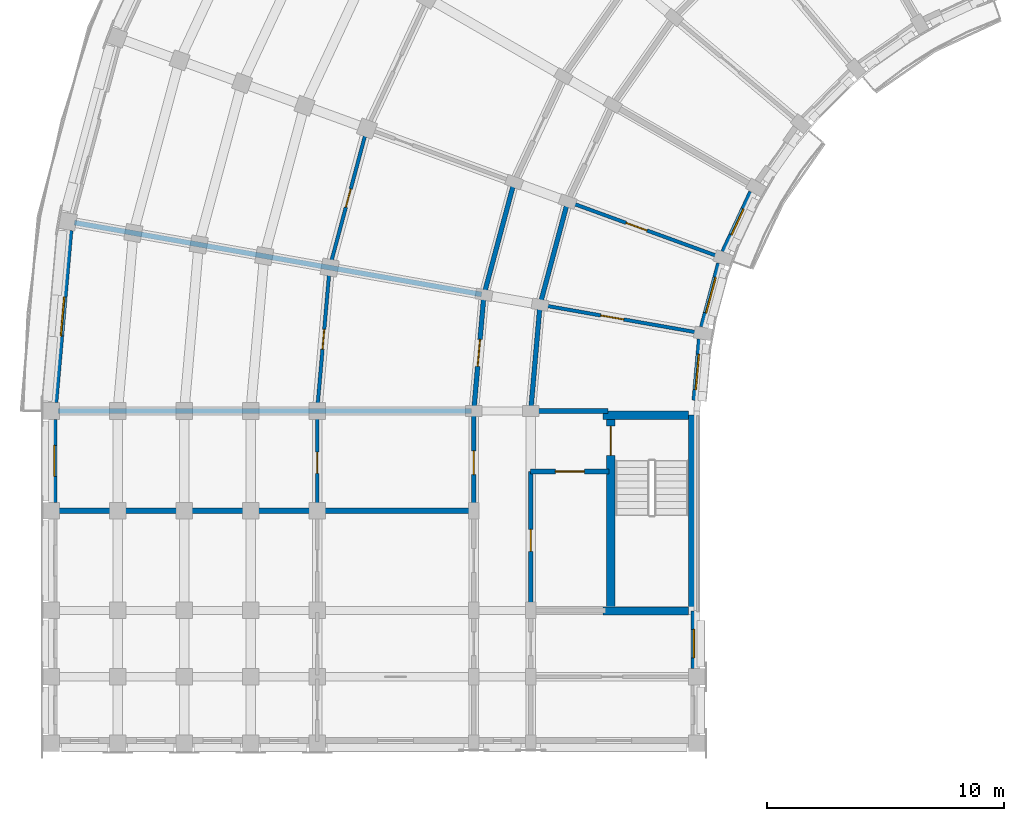
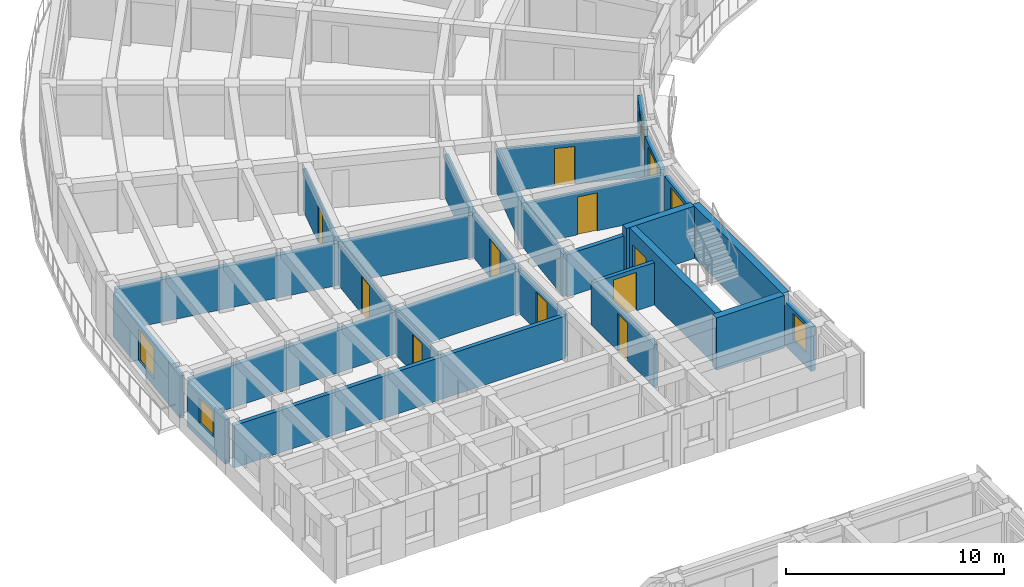
# One storey, part 24 of 57: 26 walls, 10 doors, 6 windows, 16 openings.
"""IFC4 building model written with IfcOpenShell, lengths in metres."""

from ifc_helpers import new_model, si_unit, direction, frame, frame_2d, origin, place, context, subcontext, project, spatial, rectangle, extrude, material, layer, layer_set, type_object, element, fill, save


model = new_model("IFC4")

# Units and contexts
model_context = context("Model", 3, precision=1e-05, world=origin(), true_north=direction((0.0, 1.0)))
body_context = subcontext(model_context, "Body", "Model", "MODEL_VIEW")
ifc_project = project(units=[si_unit("LENGTHUNIT", "METRE"), si_unit("AREAUNIT", "SQUARE_METRE"), si_unit("VOLUMEUNIT", "CUBIC_METRE"), si_unit("PLANEANGLEUNIT", "RADIAN"), si_unit("MASSUNIT", "GRAM", prefix="KILO")], contexts=[model_context])

# Site, building, storey
site_placement = place(None, origin())
site = spatial("IfcSite", under=ifc_project, at=site_placement, CompositionType="ELEMENT")
building_placement = place(site_placement, origin())
building = spatial("IfcBuilding", under=site, at=building_placement, Name="Kiranvali Square Residences", CompositionType="ELEMENT")
storey_placement = place(building_placement, frame((0.0, 0.0, 18.14990234375)))
storey = spatial("IfcBuildingStorey", under=building, at=storey_placement, Name="L05", CompositionType="ELEMENT", Elevation=18.14990234375)

# Wall, opening, door
ifc_material_1 = material(Name="Autoclaved aerated concrete blockwork masonry", Category="masonry")
ifc_layer_1 = layer(ifc_material_1, 0.199951171875)
ifc_layer_set_1 = layer_set([ifc_layer_1], Name="Autoclaved aerated concrete blockwork masonry")
wall_type_1 = type_object("IfcWallType", Name="WL-COR-200", PredefinedType="STANDARD", material=ifc_layer_set_1)
wall_1_placement = place(storey_placement, frame((25.699951171875, 85.25, 0.0), z_axis=(0.0, 0.0, 1.0), x_axis=(-1.0, 0.0, 0.0)))
wall_1 = element("IfcWall", 1, at=wall_1_placement, inside=storey, type_object=wall_type_1, Name="L05 architectural wall WL-L05-A-S3-V", PredefinedType="STANDARD", context=body_context, shape_type="SweptSolid", body=[
    extrude(rectangle(XDim=3.300048828125, YDim=0.199951171875, at=frame_2d((1.64990234375, 0.0))), origin(), (0.0, 0.0, 1.0), 2.3720703125),
])
opening_1_placement = place(wall_1_placement, frame((1.0400390625, 0.0, 0.0)))
opening_1 = element("IfcOpeningElement", 2, at=opening_1_placement, cuts=wall_1, Name="Opening FD-COR-60", PredefinedType="OPENING", context=body_context, shape_type="SweptSolid", body=[
    extrude(rectangle(XDim=1.219970703125, YDim=2.14990234375, at=frame_2d((0.60986328125, 1.074951171875))), frame((0.0, 0.10986328125, 0.0), z_axis=(0.0, -1.0, 0.0), x_axis=(1.0, 0.0, 0.0)), (0.0, 0.0, 1.0), 0.219970703125),
])
ifc_material_2 = material(Name="Fire-rated acoustic hardwood and mineral-core door assembly", Category="wood")
door_type_1 = type_object("IfcDoorType", Name="DR-FD60-1200", OperationType="NOTDEFINED", PredefinedType="DOOR", material=ifc_material_2)
door_1_placement = place(opening_1_placement, origin())
door_1 = element("IfcDoor", 3, at=door_1_placement, inside=storey, type_object=door_type_1, Name="L05 door DR-L05-0339 (DR-FD60-1200)", OperationType="SINGLE_SWING_LEFT", OverallHeight=2.14990234375, OverallWidth=1.219970703125, PredefinedType="DOOR", context=body_context, shape_type="SweptSolid", body=[
    extrude(rectangle(XDim=1.219970703125, YDim=2.14990234375, at=frame_2d((0.60986328125, 1.074951171875))), frame((0.0, 0.02490234375, 0.0), z_axis=(0.0, -1.0, 0.0), x_axis=(1.0, 0.0, 0.0)), (0.0, 0.0, 1.0), 0.050048828125),
])
fill(opening_1, door_1)

wall_2_placement = place(storey_placement, frame((22.39990234375, 85.25, 0.0), z_axis=(0.0, 0.0, 1.0), x_axis=(0.0, -1.0, 0.0)))
wall_2 = element("IfcWall", 4, at=wall_2_placement, inside=storey, type_object=wall_type_1, Name="L05 architectural wall WL-L05-A-S3-COR", PredefinedType="STANDARD", context=body_context, shape_type="SweptSolid", body=[
    extrude(rectangle(XDim=5.800048828125, YDim=0.199951171875, at=frame_2d((2.89990234375, 0.0))), origin(), (0.0, 0.0, 1.0), 2.3720703125),
])
opening_2_placement = place(wall_2_placement, frame((2.43994140625, 0.0, 0.0)))
opening_2 = element("IfcOpeningElement", 5, at=opening_2_placement, cuts=wall_2, Name="Opening FD-SVC-120", PredefinedType="OPENING", context=body_context, shape_type="SweptSolid", body=[
    extrude(rectangle(XDim=0.919921875, YDim=2.10009765625, at=frame_2d((0.4599609375, 1.050048828125))), frame((0.0, 0.10986328125, 0.0), z_axis=(0.0, -1.0, 0.0), x_axis=(1.0, 0.0, 0.0)), (0.0, 0.0, 1.0), 0.219970703125),
])
door_type_2 = type_object("IfcDoorType", Name="DR-SVC-900", OperationType="NOTDEFINED", PredefinedType="DOOR", material=ifc_material_2)
door_2_placement = place(opening_2_placement, frame((0.919921875, 0.0, 0.0), z_axis=(0.0, 0.0, 1.0), x_axis=(-1.0, 0.0, 0.0)))
door_2 = element("IfcDoor", 6, at=door_2_placement, inside=storey, type_object=door_type_2, Name="L05 door DR-L05-0340 (DR-SVC-900)", OperationType="SINGLE_SWING_RIGHT", OverallHeight=2.10009765625, OverallWidth=0.919921875, PredefinedType="DOOR", context=body_context, shape_type="SweptSolid", body=[
    extrude(rectangle(XDim=0.919921875, YDim=2.10009765625, at=frame_2d((0.4599609375, 1.050048828125))), frame((0.0, 0.02490234375, 0.0), z_axis=(0.0, -1.0, 0.0), x_axis=(1.0, 0.0, 0.0)), (0.0, 0.0, 1.0), 0.050048828125),
])
fill(opening_2, door_2)

# Walls
wall_3_placement = place(storey_placement, frame((23.955810546875, 96.6240234375, 0.0), z_axis=(0.0, 0.0, 1.0), x_axis=(-0.258787642463, -0.965934240054, 0.0)))
element("IfcWall", 7, at=wall_3_placement, inside=storey, type_object=wall_type_1, Name="L05 architectural wall WL-L05-A-CCI-7", PredefinedType="STANDARD", context=body_context, shape_type="SweptSolid", body=[
    extrude(rectangle(XDim=4.497314453125, YDim=0.199951171875, at=frame_2d((2.24853515625, 0.0))), origin(), (0.0, 0.0, 1.0), 2.3720703125),
])
wall_4_placement = place(storey_placement, frame((21.70068359375, 97.445068359375, 0.0), z_axis=(0.0, 0.0, 1.0), x_axis=(-0.258803112091, -0.965930095386, 0.0)))
element("IfcWall", 8, at=wall_4_placement, inside=storey, type_object=wall_type_1, Name="L05 architectural wall WL-L05-A-CCO-7", PredefinedType="STANDARD", context=body_context, shape_type="SweptSolid", body=[
    extrude(rectangle(XDim=4.915771484375, YDim=0.199951171875, at=frame_2d((2.4580078125, 0.0))), origin(), (0.0, 0.0, 1.0), 2.3720703125),
])
wall_5_placement = place(storey_placement, frame((22.7919921875, 92.280029296875, 0.0), z_axis=(0.0, 0.0, 1.0), x_axis=(-0.087187153726, -0.996191949488, 0.0)))
element("IfcWall", 9, at=wall_5_placement, inside=storey, type_object=wall_type_1, Name="L05 architectural wall WL-L05-A-CCI-8", PredefinedType="STANDARD", context=body_context, shape_type="SweptSolid", body=[
    extrude(rectangle(XDim=4.4970703125, YDim=0.199951171875, at=frame_2d((2.24853515625, 0.0))), origin(), (0.0, 0.0, 1.0), 2.3720703125),
])

# Wall, opening, door
wall_6_placement = place(storey_placement, frame((20.428466796875, 92.69677734375, 0.0), z_axis=(0.0, 0.0, 1.0), x_axis=(-0.087167566415, -0.996193663584, 0.0)))
wall_6 = element("IfcWall", 10, at=wall_6_placement, inside=storey, type_object=wall_type_1, Name="L05 architectural wall WL-L05-A-CCO-8", PredefinedType="STANDARD", context=body_context, shape_type="SweptSolid", body=[
    extrude(rectangle(XDim=4.91552734375, YDim=0.199951171875, at=frame_2d((2.457763671875, 0.0))), origin(), (0.0, 0.0, 1.0), 2.3720703125),
])
opening_3_placement = place(wall_6_placement, frame((1.8876953125, 0.0, 0.0)))
opening_3 = element("IfcOpeningElement", 11, at=opening_3_placement, cuts=wall_6, Name="Opening FD-APT-60D", PredefinedType="OPENING", context=body_context, shape_type="SweptSolid", body=[
    extrude(rectangle(XDim=1.139892578125, YDim=2.14990234375, at=frame_2d((0.56982421875, 1.074951171875))), frame((0.0, 0.10986328125, 0.0), z_axis=(0.0, -1.0, 0.0), x_axis=(1.0, 0.0, 0.0)), (0.0, 0.0, 1.0), 0.219970703125),
])
door_type_3 = type_object("IfcDoorType", Name="DR-APT-1140", OperationType="NOTDEFINED", PredefinedType="DOOR", material=ifc_material_2)
door_3_placement = place(opening_3_placement, frame((1.139892578125, 0.0, 0.0), z_axis=(0.0, 0.0, 1.0), x_axis=(-1.0, 0.0, 0.0)))
door_3 = element("IfcDoor", 12, at=door_3_placement, inside=storey, type_object=door_type_3, Name="L05 door DR-L05-0380 (DR-APT-1140)", OperationType="SINGLE_SWING_RIGHT", OverallHeight=2.14990234375, OverallWidth=1.139892578125, PredefinedType="DOOR", context=body_context, shape_type="SweptSolid", body=[
    extrude(rectangle(XDim=1.139892578125, YDim=2.14990234375, at=frame_2d((0.56982421875, 1.074951171875))), frame((0.0, 0.02490234375, 0.0), z_axis=(0.0, -1.0, 0.0), x_axis=(1.0, 0.0, 0.0)), (0.0, 0.0, 1.0), 0.050048828125),
])
fill(opening_3, door_3)

wall_7_placement = place(storey_placement, frame((20.0, 87.64990234375, 0.0), z_axis=(0.0, 0.0, 1.0), x_axis=(0.0, -1.0, 0.0)))
wall_7 = element("IfcWall", 13, at=wall_7_placement, inside=storey, type_object=wall_type_1, Name="L05 architectural wall WL-L05-A-A2CF-C0", PredefinedType="STANDARD", context=body_context, shape_type="SweptSolid", body=[
    extrude(rectangle(XDim=4.0498046875, YDim=0.199951171875, at=frame_2d((2.02490234375, 0.0))), origin(), (0.0, 0.0, 1.0), 2.3720703125),
])
opening_4_placement = place(wall_7_placement, frame((1.52490234375, 0.0, 0.0)))
opening_4 = element("IfcOpeningElement", 14, at=opening_4_placement, cuts=wall_7, Name="Opening FD-APT-60", PredefinedType="OPENING", context=body_context, shape_type="SweptSolid", body=[
    extrude(rectangle(XDim=1.0, YDim=2.14990234375, at=frame_2d((0.5, 1.074951171875))), frame((0.0, 0.10986328125, 0.0), z_axis=(0.0, -1.0, 0.0), x_axis=(1.0, 0.0, 0.0)), (0.0, 0.0, 1.0), 0.219970703125),
])
door_type_4 = type_object("IfcDoorType", Name="DR-APT-1000", OperationType="NOTDEFINED", PredefinedType="DOOR", material=ifc_material_2)
door_4_placement = place(opening_4_placement, origin())
door_4 = element("IfcDoor", 15, at=door_4_placement, inside=storey, type_object=door_type_4, Name="L05 door DR-L05-0385 (DR-APT-1000)", OperationType="SINGLE_SWING_LEFT", OverallHeight=2.14990234375, OverallWidth=1.0, PredefinedType="DOOR", context=body_context, shape_type="SweptSolid", body=[
    extrude(rectangle(XDim=1.0, YDim=2.14990234375, at=frame_2d((0.5, 1.074951171875))), frame((0.0, 0.02490234375, 0.0), z_axis=(0.0, -1.0, 0.0), x_axis=(1.0, 0.0, 0.0)), (0.0, 0.0, 1.0), 0.050048828125),
])
fill(opening_4, door_4)

# Walls
ifc_layer_2 = layer(ifc_material_1, 0.219970703125)
ifc_layer_set_2 = layer_set([ifc_layer_2], Name="Autoclaved aerated concrete blockwork masonry")
wall_type_2 = type_object("IfcWallType", Name="WL-DEM-220", PredefinedType="STANDARD", material=ifc_layer_set_2)
wall_8_placement = place(storey_placement, frame((20.329833984375, 92.71435546875, 0.0), z_axis=(0.0, 0.0, 1.0), x_axis=(-0.984808098809, 0.173646216546, 0.0)))
element("IfcWall", 16, at=wall_8_placement, inside=storey, type_object=wall_type_2, Name="L05 architectural wall WL-L05-A-RADO-8", PredefinedType="STANDARD", context=body_context, shape_type="SweptSolid", body=[
    extrude(rectangle(XDim=17.419921875, YDim=0.219970703125, at=frame_2d((8.7099609375, 0.0))), origin(), (0.0, 0.0, 1.0), 2.3720703125),
])
wall_9_placement = place(storey_placement, frame((25.64990234375, 87.800048828125, 0.0), z_axis=(0.0, 0.0, 1.0), x_axis=(-1.0, 0.0, 0.0)))
element("IfcWall", 17, at=wall_9_placement, inside=storey, type_object=wall_type_2, Name="L05 architectural wall WL-L05-A-RADI-9", PredefinedType="STANDARD", context=body_context, shape_type="SweptSolid", body=[
    extrude(rectangle(XDim=3.199951171875, YDim=0.219970703125, at=frame_2d((1.60009765625, 0.0))), origin(), (0.0, 0.0, 1.0), 2.3720703125),
])
wall_10_placement = place(storey_placement, frame((19.89990234375, 87.800048828125, 0.0), z_axis=(0.0, 0.0, 1.0), x_axis=(-1.0, 0.0, 0.0)))
element("IfcWall", 18, at=wall_10_placement, inside=storey, type_object=wall_type_2, Name="L05 architectural wall WL-L05-A-RADO-9", PredefinedType="STANDARD", context=body_context, shape_type="SweptSolid", body=[
    extrude(rectangle(XDim=17.419921875, YDim=0.219970703125, at=frame_2d((8.7099609375, 0.0))), origin(), (0.0, 0.0, 1.0), 2.3720703125),
])
wall_11_placement = place(storey_placement, frame((19.949951171875, 83.60009765625, 0.0), z_axis=(0.0, 0.0, 1.0), x_axis=(-1.0, 0.0, 0.0)))
element("IfcWall", 19, at=wall_11_placement, inside=storey, type_object=wall_type_2, Name="L05 architectural wall WL-L05-A-A2CF-MID", PredefinedType="STANDARD", context=body_context, shape_type="SweptSolid", body=[
    extrude(rectangle(XDim=17.530029296875, YDim=0.219970703125, at=frame_2d((8.76513671875, 0.0))), origin(), (0.0, 0.0, 1.0), 2.3720703125),
])

# Wall, opening, window
ifc_material_3 = material(Name="Breathable lime-rendered clay brick masonry", Category="masonry")
ifc_layer_3 = layer(ifc_material_3, 0.25)
ifc_layer_set_3 = layer_set([ifc_layer_3], Name="Breathable lime-rendered clay brick masonry")
wall_type_3 = type_object("IfcWallType", Name="WL-EXT-250", PredefinedType="STANDARD", material=ifc_layer_set_3)
wall_12_placement = place(storey_placement, frame((2.99072265625, 95.402587890625, 0.0), z_axis=(0.0, 0.0, 1.0), x_axis=(-0.08718487158, -0.99619214922, 0.0)))
wall_12 = element("IfcWall", 20, at=wall_12_placement, inside=storey, type_object=wall_type_3, Name="L05 exterior wall A-L05-CRV-08", PredefinedType="STANDARD", context=body_context, shape_type="SweptSolid", body=[
    extrude(rectangle(XDim=7.2666015625, YDim=0.25, at=frame_2d((3.63330078125, 0.0))), origin(), (0.0, 0.0, 1.0), 2.3720703125),
])
opening_5_placement = place(wall_12_placement, frame((2.808349609375, 0.0, 0.422119140625)))
opening_5 = element("IfcOpeningElement", 21, at=opening_5_placement, cuts=wall_12, Name="Opening W-13", PredefinedType="OPENING", context=body_context, shape_type="SweptSolid", body=[
    extrude(rectangle(XDim=1.64990234375, YDim=1.75, at=frame_2d((0.824951171875, 0.875))), frame((0.0, 0.135009765625, 0.0), z_axis=(0.0, -1.0, 0.0), x_axis=(1.0, 0.0, 0.0)), (0.0, 0.0, 1.0), 0.27001953125),
])
ifc_material_4 = material(Name="Solar-control low-e double glazing", Category="glass")
window_type_1 = type_object("IfcWindowType", Name="WIN-RES-1650x1750", PartitioningType="DOUBLE_PANEL_VERTICAL", PredefinedType="WINDOW", material=ifc_material_4)
window_1_placement = place(opening_5_placement, origin())
window_1 = element("IfcWindow", 22, at=window_1_placement, inside=storey, type_object=window_type_1, Name="L05 recessed window A-L05-CRV-08", OverallHeight=1.75, OverallWidth=1.64990234375, PartitioningType="DOUBLE_PANEL_VERTICAL", PredefinedType="WINDOW", context=body_context, shape_type="SweptSolid", body=[
    extrude(rectangle(XDim=1.64990234375, YDim=1.75, at=frame_2d((0.824951171875, 0.875))), frame((0.0, 0.030029296875, 0.0), z_axis=(0.0, -1.0, 0.0), x_axis=(1.0, 0.0, 0.0)), (0.0, 0.0, 1.0), 0.06005859375),
])
fill(opening_5, window_1)

wall_13_placement = place(storey_placement, frame((31.6982421875, 97.02294921875, 0.0), z_axis=(0.0, 0.0, 1.0), x_axis=(-0.422649007088, -0.906293449611, 0.0)))
wall_13 = element("IfcWall", 23, at=wall_13_placement, inside=storey, type_object=wall_type_3, Name="L05 exterior wall A-L05-GDN-06", PredefinedType="STANDARD", context=body_context, shape_type="SweptSolid", body=[
    extrude(rectangle(XDim=2.769775390625, YDim=0.25, at=frame_2d((1.384765625, 0.0))), origin(), (0.0, 0.0, 1.0), 2.422119140625),
])
opening_6_placement = place(wall_13_placement, frame((0.784912109375, 0.0, 0.721923828125)))
opening_6 = element("IfcOpeningElement", 24, at=opening_6_placement, cuts=wall_13, Name="Opening W-06", PredefinedType="OPENING", context=body_context, shape_type="SweptSolid", body=[
    extrude(rectangle(XDim=1.199951171875, YDim=1.5, at=frame_2d((0.60009765625, 0.75))), frame((0.0, 0.135009765625, 0.0), z_axis=(0.0, -1.0, 0.0), x_axis=(1.0, 0.0, 0.0)), (0.0, 0.0, 1.0), 0.27001953125),
])
window_type_2 = type_object("IfcWindowType", Name="WIN-RES-1200x1500", PartitioningType="SINGLE_PANEL", PredefinedType="WINDOW", material=ifc_material_4)
window_2_placement = place(opening_6_placement, origin())
window_2 = element("IfcWindow", 25, at=window_2_placement, inside=storey, type_object=window_type_2, Name="L05 recessed window A-L05-GDN-06", OverallHeight=1.5, OverallWidth=1.199951171875, PartitioningType="SINGLE_PANEL", PredefinedType="WINDOW", context=body_context, shape_type="SweptSolid", body=[
    extrude(rectangle(XDim=1.199951171875, YDim=1.5, at=frame_2d((0.60009765625, 0.75))), frame((0.0, 0.030029296875, 0.0), z_axis=(0.0, -1.0, 0.0), x_axis=(1.0, 0.0, 0.0)), (0.0, 0.0, 1.0), 0.06005859375),
])
fill(opening_6, window_2)

wall_14_placement = place(storey_placement, frame((30.347412109375, 94.017333984375, 0.0), z_axis=(0.0, 0.0, 1.0), x_axis=(-0.25878161084, -0.965935855992, 0.0)))
wall_14 = element("IfcWall", 26, at=wall_14_placement, inside=storey, type_object=wall_type_3, Name="L05 exterior wall A-L05-GDN-07", PredefinedType="STANDARD", context=body_context, shape_type="SweptSolid", body=[
    extrude(rectangle(XDim=2.769775390625, YDim=0.25, at=frame_2d((1.384765625, 0.0))), origin(), (0.0, 0.0, 1.0), 2.422119140625),
])
opening_7_placement = place(wall_14_placement, frame((0.60986328125, 0.0, 0.6220703125)))
opening_7 = element("IfcOpeningElement", 27, at=opening_7_placement, cuts=wall_14, Name="Opening W-18", PredefinedType="OPENING", context=body_context, shape_type="SweptSolid", body=[
    extrude(rectangle(XDim=1.550048828125, YDim=1.60009765625, at=frame_2d((0.77490234375, 0.800048828125))), frame((0.0, 0.135009765625, 0.0), z_axis=(0.0, -1.0, 0.0), x_axis=(1.0, 0.0, 0.0)), (0.0, 0.0, 1.0), 0.27001953125),
])
window_type_3 = type_object("IfcWindowType", Name="WIN-GDN-1550x1600", PartitioningType="DOUBLE_PANEL_VERTICAL", PredefinedType="WINDOW", material=ifc_material_4)
window_3_placement = place(opening_7_placement, origin())
window_3 = element("IfcWindow", 28, at=window_3_placement, inside=storey, type_object=window_type_3, Name="L05 recessed window A-L05-GDN-07", OverallHeight=1.60009765625, OverallWidth=1.550048828125, PartitioningType="DOUBLE_PANEL_VERTICAL", PredefinedType="WINDOW", context=body_context, shape_type="SweptSolid", body=[
    extrude(rectangle(XDim=1.550048828125, YDim=1.60009765625, at=frame_2d((0.77490234375, 0.800048828125))), frame((0.0, 0.030029296875, 0.0), z_axis=(0.0, -1.0, 0.0), x_axis=(1.0, 0.0, 0.0)), (0.0, 0.0, 1.0), 0.06005859375),
])
fill(opening_7, window_3)

wall_15_placement = place(storey_placement, frame((29.5390625, 90.82275390625, 0.0), z_axis=(0.0, 0.0, 1.0), x_axis=(-0.087229084652, -0.996188278786, 0.0)))
wall_15 = element("IfcWall", 29, at=wall_15_placement, inside=storey, type_object=wall_type_3, Name="L05 exterior wall A-L05-GDN-08", PredefinedType="STANDARD", context=body_context, shape_type="SweptSolid", body=[
    extrude(rectangle(XDim=2.583251953125, YDim=0.25, at=frame_2d((1.29150390625, 0.0))), origin(), (0.0, 0.0, 1.0), 2.422119140625),
])
opening_8_placement = place(wall_15_placement, frame((0.635009765625, 0.0, 0.572021484375)))
opening_8 = element("IfcOpeningElement", 30, at=opening_8_placement, cuts=wall_15, Name="Opening W-05", PredefinedType="OPENING", context=body_context, shape_type="SweptSolid", body=[
    extrude(rectangle(XDim=1.5, YDim=1.64990234375, at=frame_2d((0.75, 0.824951171875))), frame((0.0, 0.135009765625, 0.0), z_axis=(0.0, -1.0, 0.0), x_axis=(1.0, 0.0, 0.0)), (0.0, 0.0, 1.0), 0.27001953125),
])
window_type_4 = type_object("IfcWindowType", Name="WIN-RES-1500x1650", PartitioningType="DOUBLE_PANEL_VERTICAL", PredefinedType="WINDOW", material=ifc_material_4)
window_4_placement = place(opening_8_placement, origin())
window_4 = element("IfcWindow", 31, at=window_4_placement, inside=storey, type_object=window_type_4, Name="L05 recessed window A-L05-GDN-08", OverallHeight=1.64990234375, OverallWidth=1.5, PartitioningType="DOUBLE_PANEL_VERTICAL", PredefinedType="WINDOW", context=body_context, shape_type="SweptSolid", body=[
    extrude(rectangle(XDim=1.5, YDim=1.64990234375, at=frame_2d((0.75, 0.824951171875))), frame((0.0, 0.030029296875, 0.0), z_axis=(0.0, -1.0, 0.0), x_axis=(1.0, 0.0, 0.0)), (0.0, 0.0, 1.0), 0.06005859375),
])
fill(opening_8, window_4)

wall_16_placement = place(storey_placement, frame((2.324951171875, 87.446533203125, 0.0), z_axis=(0.0, 0.0, 1.0), x_axis=(0.0, -1.0, 0.0)))
wall_16 = element("IfcWall", 32, at=wall_16_placement, inside=storey, type_object=wall_type_3, Name="L05 exterior wall A-L05-A2O-0", PredefinedType="STANDARD", context=body_context, shape_type="SweptSolid", body=[
    extrude(rectangle(XDim=3.492919921875, YDim=0.25, at=frame_2d((1.74658203125, 0.0))), origin(), (0.0, 0.0, 1.0), 2.47216796875),
])
opening_9_placement = place(wall_16_placement, frame((1.096435546875, 0.0, 0.8798828125)))
opening_9 = element("IfcOpeningElement", 33, at=opening_9_placement, cuts=wall_16, Name="Opening W-23", PredefinedType="OPENING", context=body_context, shape_type="SweptSolid", body=[
    extrude(rectangle(XDim=1.300048828125, YDim=1.39990234375, at=frame_2d((0.64990234375, 0.699951171875))), frame((0.0, 0.135009765625, 0.0), z_axis=(0.0, -1.0, 0.0), x_axis=(1.0, 0.0, 0.0)), (0.0, 0.0, 1.0), 0.27001953125),
])
window_type_5 = type_object("IfcWindowType", Name="WIN-COR-1300x1400", PartitioningType="DOUBLE_PANEL_HORIZONTAL", PredefinedType="WINDOW", material=ifc_material_4)
window_5_placement = place(opening_9_placement, origin())
window_5 = element("IfcWindow", 34, at=window_5_placement, inside=storey, type_object=window_type_5, Name="L05 recessed window A-L05-A2O-0", OverallHeight=1.39990234375, OverallWidth=1.300048828125, PartitioningType="DOUBLE_PANEL_HORIZONTAL", PredefinedType="WINDOW", context=body_context, shape_type="SweptSolid", body=[
    extrude(rectangle(XDim=1.300048828125, YDim=1.39990234375, at=frame_2d((0.64990234375, 0.699951171875))), frame((0.0, 0.030029296875, 0.0), z_axis=(0.0, -1.0, 0.0), x_axis=(1.0, 0.0, 0.0)), (0.0, 0.0, 1.0), 0.06005859375),
])
fill(opening_9, window_5)

wall_17_placement = place(storey_placement, frame((29.27490234375, 79.37158203125, 0.0), z_axis=(0.0, 0.0, 1.0), x_axis=(0.0, -1.0, 0.0)))
wall_17 = element("IfcWall", 35, at=wall_17_placement, inside=storey, type_object=wall_type_3, Name="L05 exterior wall A-L05-A2I-0", PredefinedType="STANDARD", context=body_context, shape_type="SweptSolid", body=[
    extrude(rectangle(XDim=2.41796875, YDim=0.25, at=frame_2d((1.208984375, 0.0))), origin(), (0.0, 0.0, 1.0), 2.47216796875),
])
opening_10_placement = place(wall_17_placement, frame((0.771484375, 0.0, 0.77197265625)))
opening_10 = element("IfcOpeningElement", 36, at=opening_10_placement, cuts=wall_17, Name="Opening W-06", PredefinedType="OPENING", context=body_context, shape_type="SweptSolid", body=[
    extrude(rectangle(XDim=1.199951171875, YDim=1.5, at=frame_2d((0.60009765625, 0.75))), frame((0.0, 0.135009765625, 0.0), z_axis=(0.0, -1.0, 0.0), x_axis=(1.0, 0.0, 0.0)), (0.0, 0.0, 1.0), 0.27001953125),
])
window_6_placement = place(opening_10_placement, origin())
window_6 = element("IfcWindow", 37, at=window_6_placement, inside=storey, type_object=window_type_2, Name="L05 recessed window A-L05-A2I-0", OverallHeight=1.5, OverallWidth=1.199951171875, PartitioningType="SINGLE_PANEL", PredefinedType="WINDOW", context=body_context, shape_type="SweptSolid", body=[
    extrude(rectangle(XDim=1.199951171875, YDim=1.5, at=frame_2d((0.60009765625, 0.75))), frame((0.0, 0.030029296875, 0.0), z_axis=(0.0, -1.0, 0.0), x_axis=(1.0, 0.0, 0.0)), (0.0, 0.0, 1.0), 0.06005859375),
])
fill(opening_10, window_6)

# Wall, opening, door
ifc_material_5 = material(Name="Acoustic gypsum board drylined partition", Category="gypsum")
ifc_layer_4 = layer(ifc_material_5, 0.14990234375)
ifc_layer_set_4 = layer_set([ifc_layer_4], Name="Acoustic gypsum board drylined partition")
wall_type_4 = type_object("IfcWallType", Name="WL-PRT-150", PredefinedType="PARTITIONING", material=ifc_layer_set_4)
wall_18_placement = place(storey_placement, frame((30.345947265625, 94.29833984375, 0.0), z_axis=(0.0, 0.0, 1.0), x_axis=(-0.939696231917, 0.342010221662, 0.0)))
wall_18 = element("IfcWall", 38, at=wall_18_placement, inside=storey, type_object=wall_type_4, Name="L05 architectural wall WL-L05-A-RADI-7", PredefinedType="PARTITIONING", context=body_context, shape_type="SweptSolid", body=[
    extrude(rectangle(XDim=6.75, YDim=0.14990234375, at=frame_2d((3.375, 0.0))), origin(), (0.0, 0.0, 1.0), 2.3720703125),
])
opening_11_placement = place(wall_18_placement, frame((3.242431640625, 0.0, 0.0)))
opening_11 = element("IfcOpeningElement", 39, at=opening_11_placement, cuts=wall_18, Name="Opening ID-2", PredefinedType="OPENING", context=body_context, shape_type="SweptSolid", body=[
    extrude(rectangle(XDim=0.93994140625, YDim=2.10009765625, at=frame_2d((0.469970703125, 1.050048828125))), frame((0.0, 0.0849609375, 0.0), z_axis=(0.0, -1.0, 0.0), x_axis=(1.0, 0.0, 0.0)), (0.0, 0.0, 1.0), 0.169921875),
])
ifc_material_6 = material(Name="Solid seasoned teak hardwood joinery", Category="wood")
door_type_5 = type_object("IfcDoorType", Name="DR-INT-940", OperationType="NOTDEFINED", PredefinedType="DOOR", material=ifc_material_6)
door_5_placement = place(opening_11_placement, origin())
door_5 = element("IfcDoor", 40, at=door_5_placement, inside=storey, type_object=door_type_5, Name="L05 door DR-L05-0365 (DR-INT-940)", OperationType="SINGLE_SWING_LEFT", OverallHeight=2.10009765625, OverallWidth=0.93994140625, PredefinedType="DOOR", context=body_context, shape_type="SweptSolid", body=[
    extrude(rectangle(XDim=0.93994140625, YDim=2.10009765625, at=frame_2d((0.469970703125, 1.050048828125))), frame((0.0, 0.02490234375, 0.0), z_axis=(0.0, -1.0, 0.0), x_axis=(1.0, 0.0, 0.0)), (0.0, 0.0, 1.0), 0.050048828125),
])
fill(opening_11, door_5)

wall_19_placement = place(storey_placement, frame((29.48876953125, 91.099365234375, 0.0), z_axis=(0.0, 0.0, 1.0), x_axis=(-0.984807944945, 0.173647089161, 0.0)))
wall_19 = element("IfcWall", 41, at=wall_19_placement, inside=storey, type_object=wall_type_4, Name="L05 architectural wall WL-L05-A-RADI-8", PredefinedType="PARTITIONING", context=body_context, shape_type="SweptSolid", body=[
    extrude(rectangle(XDim=6.75, YDim=0.14990234375, at=frame_2d((3.375, 0.0))), origin(), (0.0, 0.0, 1.0), 2.3720703125),
])
opening_12_placement = place(wall_19_placement, frame((3.222412109375, 0.0, 0.0)))
opening_12 = element("IfcOpeningElement", 42, at=opening_12_placement, cuts=wall_19, Name="Opening ID-3", PredefinedType="OPENING", context=body_context, shape_type="SweptSolid", body=[
    extrude(rectangle(XDim=0.97998046875, YDim=2.1201171875, at=frame_2d((0.489990234375, 1.06005859375))), frame((0.0, 0.0849609375, 0.0), z_axis=(0.0, -1.0, 0.0), x_axis=(1.0, 0.0, 0.0)), (0.0, 0.0, 1.0), 0.169921875),
])
door_type_6 = type_object("IfcDoorType", Name="DR-INT-980", OperationType="NOTDEFINED", PredefinedType="DOOR", material=ifc_material_6)
door_6_placement = place(opening_12_placement, origin())
door_6 = element("IfcDoor", 43, at=door_6_placement, inside=storey, type_object=door_type_6, Name="L05 door DR-L05-0367 (DR-INT-980)", OperationType="SINGLE_SWING_LEFT", OverallHeight=2.1201171875, OverallWidth=0.97998046875, PredefinedType="DOOR", context=body_context, shape_type="SweptSolid", body=[
    extrude(rectangle(XDim=0.97998046875, YDim=2.1201171875, at=frame_2d((0.489990234375, 1.06005859375))), frame((0.0, 0.02490234375, 0.0), z_axis=(0.0, -1.0, 0.0), x_axis=(1.0, 0.0, 0.0)), (0.0, 0.0, 1.0), 0.050048828125),
])
fill(opening_12, door_6)

wall_20_placement = place(storey_placement, frame((13.39990234375, 87.570068359375, 0.0), z_axis=(0.0, 0.0, 1.0), x_axis=(0.0, -1.0, 0.0)))
wall_20 = element("IfcWall", 44, at=wall_20_placement, inside=storey, type_object=wall_type_4, Name="L05 architectural wall WL-L05-A-A2CF-SP0", PredefinedType="PARTITIONING", context=body_context, shape_type="SweptSolid", body=[
    extrude(rectangle(XDim=3.89013671875, YDim=0.14990234375, at=frame_2d((1.945068359375, 0.0))), origin(), (0.0, 0.0, 1.0), 2.3720703125),
])
opening_13_placement = place(wall_20_placement, frame((1.4951171875, 0.0, 0.0)))
opening_13 = element("IfcOpeningElement", 45, at=opening_13_placement, cuts=wall_20, Name="Opening ID-1", PredefinedType="OPENING", context=body_context, shape_type="SweptSolid", body=[
    extrude(rectangle(XDim=0.89990234375, YDim=2.10009765625, at=frame_2d((0.449951171875, 1.050048828125))), frame((0.0, 0.0849609375, 0.0), z_axis=(0.0, -1.0, 0.0), x_axis=(1.0, 0.0, 0.0)), (0.0, 0.0, 1.0), 0.169921875),
])
door_type_7 = type_object("IfcDoorType", Name="DR-INT-900", OperationType="NOTDEFINED", PredefinedType="DOOR", material=ifc_material_6)
door_7_placement = place(opening_13_placement, frame((0.89990234375, 0.0, 0.0), z_axis=(0.0, 0.0, 1.0), x_axis=(-1.0, 0.0, 0.0)))
door_7 = element("IfcDoor", 46, at=door_7_placement, inside=storey, type_object=door_type_7, Name="L05 door DR-L05-0386 (DR-INT-900)", OperationType="SINGLE_SWING_RIGHT", OverallHeight=2.10009765625, OverallWidth=0.89990234375, PredefinedType="DOOR", context=body_context, shape_type="SweptSolid", body=[
    extrude(rectangle(XDim=0.89990234375, YDim=2.10009765625, at=frame_2d((0.449951171875, 1.050048828125))), frame((0.0, 0.02490234375, 0.0), z_axis=(0.0, -1.0, 0.0), x_axis=(1.0, 0.0, 0.0)), (0.0, 0.0, 1.0), 0.050048828125),
])
fill(opening_13, door_7)

# Wall
ifc_material_7 = material(Name="Concrete M50 (50 MPa)", Category="concrete")
ifc_layer_5 = layer(ifc_material_7, 0.35009765625)
ifc_layer_set_5 = layer_set([ifc_layer_5], Name="Concrete M50 (50 MPa)")
wall_type_5 = type_object("IfcWallType", Name="WL-SHR-350", PredefinedType="SHEAR", material=ifc_layer_set_5)
wall_21_placement = place(storey_placement, frame((29.22509765625, 87.625, 0.0), z_axis=(0.0, 0.0, 1.0), x_axis=(0.0, -1.0, 0.0)))
element("IfcWall", 47, at=wall_21_placement, inside=storey, type_object=wall_type_5, Name="Block A core shear wall SW-A3-OUT-L05", PredefinedType="SHEAR", context=body_context, shape_type="SweptSolid", body=[
    extrude(rectangle(XDim=8.25, YDim=0.35009765625, at=frame_2d((4.125, 0.0))), origin(), (0.0, 0.0, 1.0), 2.93017578125),
])

# Wall, opening, door
wall_22_placement = place(storey_placement, frame((25.77490234375, 87.449951171875, 0.0), z_axis=(0.0, 0.0, 1.0), x_axis=(0.0, -1.0, 0.0)))
wall_22 = element("IfcWall", 48, at=wall_22_placement, inside=storey, type_object=wall_type_5, Name="Block A core shear wall SW-A3-IN-L05", PredefinedType="SHEAR", context=body_context, shape_type="SweptSolid", body=[
    extrude(rectangle(XDim=7.89990234375, YDim=0.35009765625, at=frame_2d((3.949951171875, 0.0))), origin(), (0.0, 0.0, 1.0), 2.93017578125),
])
opening_14_placement = place(wall_22_placement, frame((0.280029296875, 0.0, 0.0)))
opening_14 = element("IfcOpeningElement", 49, at=opening_14_placement, cuts=wall_22, Name="Opening FD-ST-120", PredefinedType="OPENING", context=body_context, shape_type="SweptSolid", body=[
    extrude(rectangle(XDim=1.239990234375, YDim=2.14990234375, at=frame_2d((0.6201171875, 1.074951171875))), frame((0.0, 0.18505859375, 0.0), z_axis=(0.0, -1.0, 0.0), x_axis=(1.0, 0.0, 0.0)), (0.0, 0.0, 1.0), 0.3701171875),
])
door_type_8 = type_object("IfcDoorType", Name="DR-FD120-1200", OperationType="NOTDEFINED", PredefinedType="DOOR", material=ifc_material_2)
door_8_placement = place(opening_14_placement, origin())
door_8 = element("IfcDoor", 50, at=door_8_placement, inside=storey, type_object=door_type_8, Name="L05 door DR-L05-0335 (DR-FD120-1200)", OperationType="SINGLE_SWING_LEFT", OverallHeight=2.14990234375, OverallWidth=1.239990234375, PredefinedType="DOOR", context=body_context, shape_type="SweptSolid", body=[
    extrude(rectangle(XDim=1.239990234375, YDim=2.14990234375, at=frame_2d((0.6201171875, 1.074951171875))), frame((0.0, 0.02490234375, 0.0), z_axis=(0.0, -1.0, 0.0), x_axis=(1.0, 0.0, 0.0)), (0.0, 0.0, 1.0), 0.050048828125),
])
fill(opening_14, door_8)

# Walls
for number, where, z_axis, x_axis, name in (
    (51, (29.050048828125, 87.625, 0.0), (0.0, 0.0, 1.0), (-1.0, 0.0, 0.0), "Block A core shear wall SW-A3-NEAR-L05"),
    (52, (29.050048828125, 79.375, 0.0), (0.0, 0.0, 1.0), (-1.0, 0.0, 0.0), "Block A core shear wall SW-A3-FAR-L05"),
):
    element("IfcWall", number, at=place(storey_placement, frame(where, z_axis=z_axis, x_axis=x_axis)), inside=storey, type_object=wall_type_5, Name=name, PredefinedType="SHEAR", context=body_context, shape_type="SweptSolid", body=[
        extrude(rectangle(XDim=3.60009765625, YDim=0.35009765625, at=frame_2d((1.800048828125, 0.0))), origin(), (0.0, 0.0, 1.0), 2.93017578125),
    ])

# Wall, opening, door
ifc_layer_6 = layer(ifc_material_1, 0.14990234375)
ifc_layer_set_6 = layer_set([ifc_layer_6], Name="Autoclaved aerated concrete blockwork masonry")
wall_type_6 = type_object("IfcWallType", Name="WL-WET-150", PredefinedType="PLUMBINGWALL", material=ifc_layer_set_6)
wall_23_placement = place(storey_placement, frame((15.498779296875, 99.702392578125, 0.0), z_axis=(0.0, 0.0, 1.0), x_axis=(-0.258827283048, -0.965923618901, 0.0)))
wall_23 = element("IfcWall", 53, at=wall_23_placement, inside=storey, type_object=wall_type_6, Name="L05 architectural wall WL-L05-A-CWET-7", PredefinedType="PLUMBINGWALL", context=body_context, shape_type="SweptSolid", body=[
    extrude(rectangle(XDim=6.066162109375, YDim=0.14990234375, at=frame_2d((3.033203125, 0.0))), origin(), (0.0, 0.0, 1.0), 2.3720703125),
])
opening_15_placement = place(wall_23_placement, frame((2.633056640625, 0.0, 0.0)))
opening_15 = element("IfcOpeningElement", 54, at=opening_15_placement, cuts=wall_23, Name="Opening ID-WET", PredefinedType="OPENING", context=body_context, shape_type="SweptSolid", body=[
    extrude(rectangle(XDim=0.800048828125, YDim=2.10009765625, at=frame_2d((0.39990234375, 1.050048828125))), frame((0.0, 0.0849609375, 0.0), z_axis=(0.0, -1.0, 0.0), x_axis=(1.0, 0.0, 0.0)), (0.0, 0.0, 1.0), 0.169921875),
])
door_type_9 = type_object("IfcDoorType", Name="DR-WET-800", OperationType="NOTDEFINED", PredefinedType="DOOR", material=ifc_material_6)
door_9_placement = place(opening_15_placement, origin())
door_9 = element("IfcDoor", 55, at=door_9_placement, inside=storey, type_object=door_type_9, Name="L05 door DR-L05-0379 (DR-WET-800)", OperationType="SINGLE_SWING_LEFT", OverallHeight=2.10009765625, OverallWidth=0.800048828125, PredefinedType="DOOR", context=body_context, shape_type="SweptSolid", body=[
    extrude(rectangle(XDim=0.800048828125, YDim=2.10009765625, at=frame_2d((0.39990234375, 1.050048828125))), frame((0.0, 0.02490234375, 0.0), z_axis=(0.0, -1.0, 0.0), x_axis=(1.0, 0.0, 0.0)), (0.0, 0.0, 1.0), 0.050048828125),
])
fill(opening_15, door_9)

wall_24_placement = place(storey_placement, frame((13.9287109375, 93.843017578125, 0.0), z_axis=(0.0, 0.0, 1.0), x_axis=(-0.087174938512, -0.996193018494, 0.0)))
wall_24 = element("IfcWall", 56, at=wall_24_placement, inside=storey, type_object=wall_type_6, Name="L05 architectural wall WL-L05-A-CWET-8", PredefinedType="PLUMBINGWALL", context=body_context, shape_type="SweptSolid", body=[
    extrude(rectangle(XDim=6.066162109375, YDim=0.14990234375, at=frame_2d((3.033203125, 0.0))), origin(), (0.0, 0.0, 1.0), 2.3720703125),
])
opening_16_placement = place(wall_24_placement, frame((2.613037109375, 0.0, 0.0)))
opening_16 = element("IfcOpeningElement", 57, at=opening_16_placement, cuts=wall_24, Name="Opening ID-WET2", PredefinedType="OPENING", context=body_context, shape_type="SweptSolid", body=[
    extrude(rectangle(XDim=0.840087890625, YDim=2.10009765625, at=frame_2d((0.419921875, 1.050048828125))), frame((0.0, 0.0849609375, 0.0), z_axis=(0.0, -1.0, 0.0), x_axis=(1.0, 0.0, 0.0)), (0.0, 0.0, 1.0), 0.169921875),
])
door_type_10 = type_object("IfcDoorType", Name="DR-WET-840", OperationType="NOTDEFINED", PredefinedType="DOOR", material=ifc_material_6)
door_10_placement = place(opening_16_placement, origin())
door_10 = element("IfcDoor", 58, at=door_10_placement, inside=storey, type_object=door_type_10, Name="L05 door DR-L05-0381 (DR-WET-840)", OperationType="SINGLE_SWING_LEFT", OverallHeight=2.10009765625, OverallWidth=0.840087890625, PredefinedType="DOOR", context=body_context, shape_type="SweptSolid", body=[
    extrude(rectangle(XDim=0.840087890625, YDim=2.10009765625, at=frame_2d((0.419921875, 1.050048828125))), frame((0.0, 0.02490234375, 0.0), z_axis=(0.0, -1.0, 0.0), x_axis=(1.0, 0.0, 0.0)), (0.0, 0.0, 1.0), 0.050048828125),
])
fill(opening_16, door_10)

save(model, "model.ifc")
